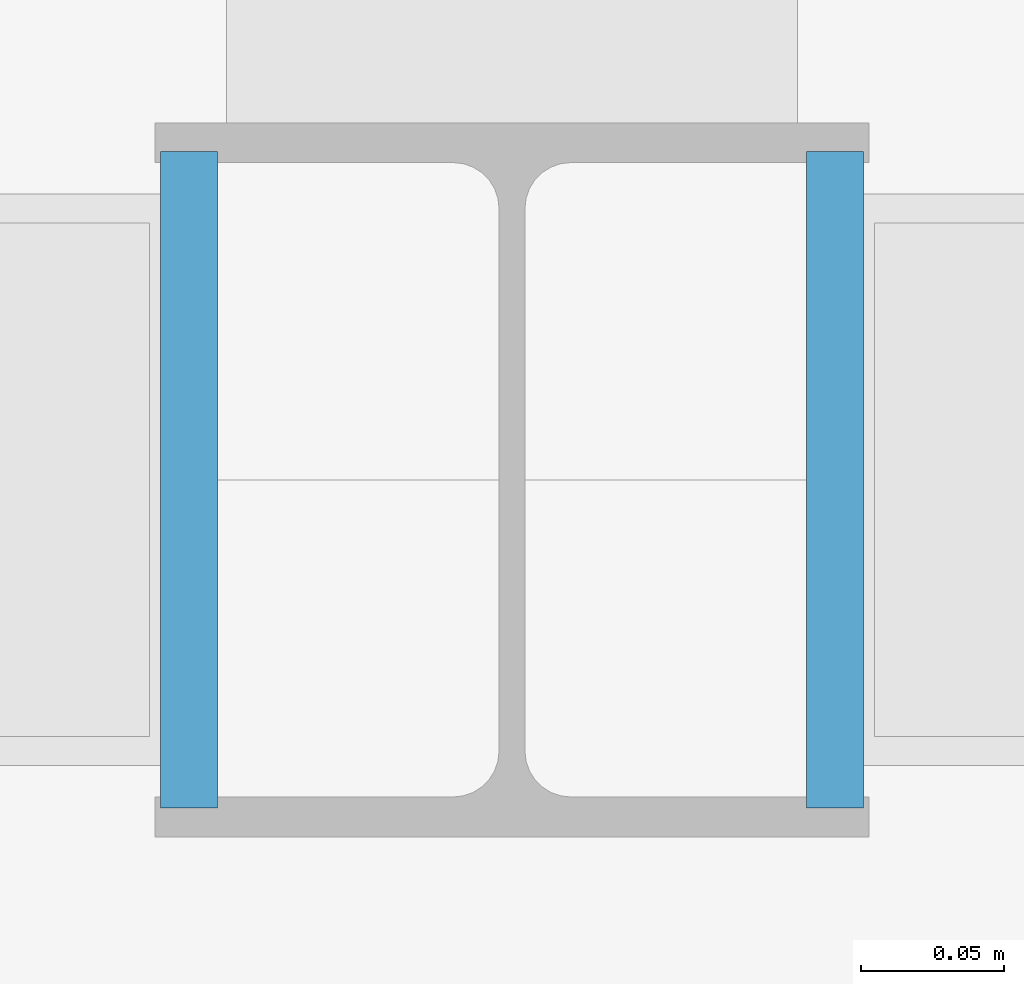
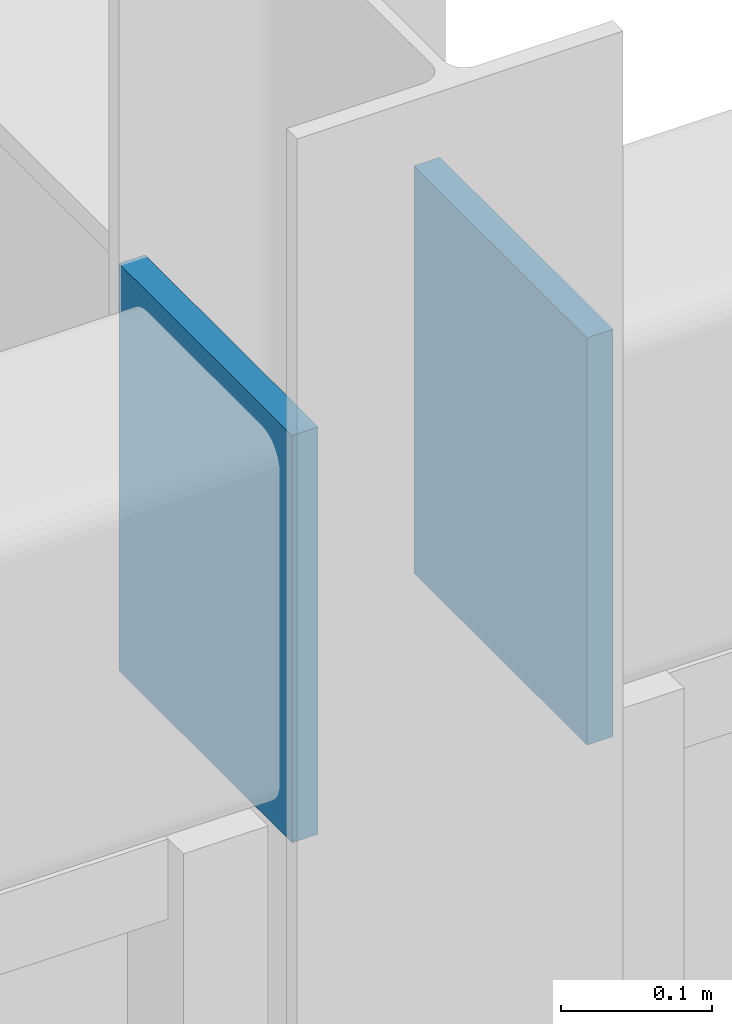
# One storey, part 120 of 184: 2 plates.
"""IFC4 building model written with IfcOpenShell, lengths in metres."""

from ifc_helpers import new_model, si_unit, direction, frame, origin, origin_2d, place, context, subcontext, project, spatial, rectangle, extrude, material, layer, layer_set, type_object, element, save


model = new_model("IFC4")

# Units and contexts
model_context = context("Model", 3, precision=1e-05, world=origin(), true_north=direction((0.0, 1.0)))
body_context = subcontext(model_context, "Body", "Model", "MODEL_VIEW")
ifc_project = project(units=[si_unit("LENGTHUNIT", "METRE"), si_unit("AREAUNIT", "SQUARE_METRE"), si_unit("VOLUMEUNIT", "CUBIC_METRE"), si_unit("PLANEANGLEUNIT", "RADIAN"), si_unit("MASSUNIT", "GRAM", prefix="KILO")], contexts=[model_context])

# Site, building, storey
site_placement = place(None, origin())
site = spatial("IfcSite", under=ifc_project, at=site_placement, CompositionType="ELEMENT")
building_placement = place(site_placement, origin())
building = spatial("IfcBuilding", under=site, at=building_placement, Name="Zhaolan Boulevard Law Courts", CompositionType="ELEMENT")
storey_placement = place(building_placement, frame((0.0, 0.0, 5.39990234375)))
storey = spatial("IfcBuildingStorey", under=building, at=storey_placement, Name="L01", CompositionType="ELEMENT", Elevation=5.39990234375)

# Plates
ifc_material = material(Name="Structural steel Q355B", Category="steel")
ifc_layer = layer(ifc_material, 0.02001953125)
ifc_layer_set = layer_set([ifc_layer])
plate_type = type_object("IfcPlateType", Name="END CAP PLATE 20", PredefinedType="SHEET", material=ifc_layer_set)
for number, where, z_axis, x_axis, name in (
    (1, (91.886962890625, 6.0, 4.822998046875), (0.0, 0.0, 1.0), (1.0, 0.0, 0.0), "Hollow Section End-Cap Plate ECP-0704"),
    (2, (92.113037109375, 6.0, 4.822998046875), (0.0, 0.0, 1.0), (1.0, 0.0, 0.0), "Hollow Section End-Cap Plate ECP-0705"),
):
    element("IfcPlate", number, at=place(storey_placement, frame(where, z_axis=z_axis, x_axis=x_axis)), inside=storey, type_object=plate_type, Name=name, PredefinedType="SHEET", context=body_context, shape_type="SweptSolid", body=[
        extrude(rectangle(XDim=0.02001953125, YDim=0.22998046875, at=origin_2d()), origin(), (0.0, 0.0, 1.0), 0.330078125),
    ])

save(model, "model.ifc")
